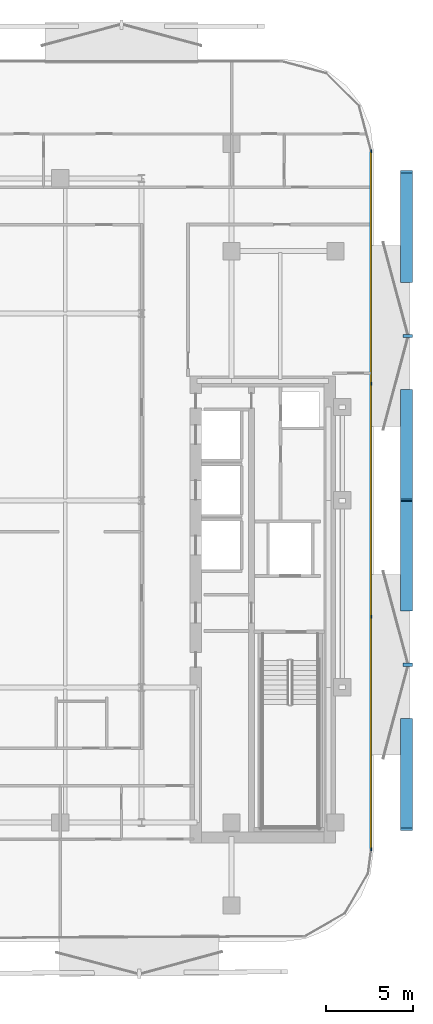
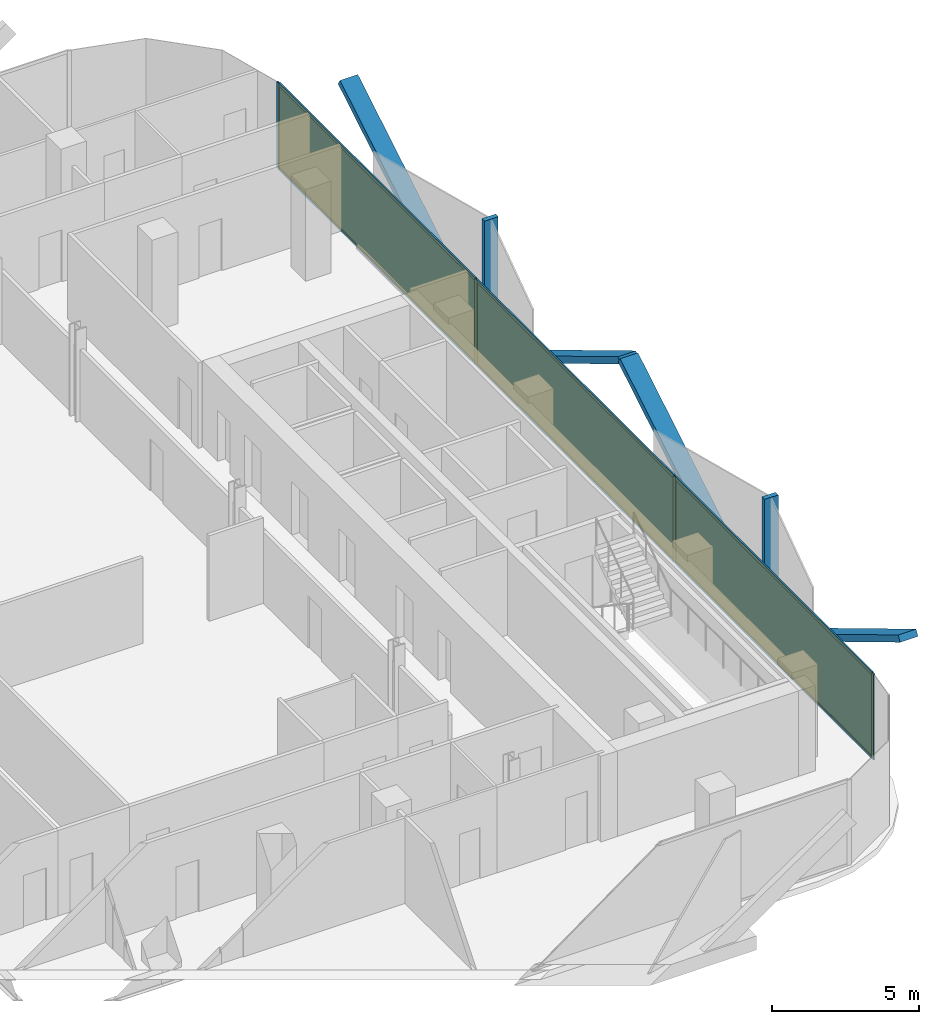
# One storey, part 11 of 17: 16 members, 3 plates, 1 curtain wall.
"""IFC4 building model written with IfcOpenShell, lengths in metres."""

from ifc_helpers import new_model, si_unit, direction, frame, frame_2d, origin, origin_2d, place, context, subcontext, project, spatial, rectangle, extrude, material, layer, layer_set, material_profile, profile_set, type_object, element, aggregate, save


model = new_model("IFC4")

# Units and contexts
model_context = context("Model", 3, precision=1e-05, world=origin(), true_north=direction((0.0, 1.0)))
body_context = subcontext(model_context, "Body", "Model", "MODEL_VIEW")
ifc_project = project(units=[si_unit("LENGTHUNIT", "METRE"), si_unit("AREAUNIT", "SQUARE_METRE"), si_unit("VOLUMEUNIT", "CUBIC_METRE"), si_unit("PLANEANGLEUNIT", "RADIAN"), si_unit("MASSUNIT", "GRAM", prefix="KILO")], contexts=[model_context])

# Member
ifc_material_1 = material(Name="Anodised Bronze Aluminium 6063-T6", Category="aluminium")
ifc_material_profile_1 = material_profile(ifc_material_1, rectangle(XDim=0.260009765625, YDim=0.699951171875, at=origin_2d()))
ifc_profile_set_1 = profile_set([ifc_material_profile_1], Name="Anodised Bronze Aluminium 6063-T6")
member_type_1 = type_object("IfcMemberType", Name="Bronze Diamond Solar-Screen Lattice Rib BDL-700", PredefinedType="MULLION", material=ifc_profile_set_1)
site_placement = place(None, origin())
building_placement = place(site_placement, origin())
storey_placement = place(building_placement, frame((0.0, 0.0, 203.0)))
member_1_placement = place(storey_placement, frame((24.5, 6.330322265625, -0.1298828125), z_axis=(0.0, -0.857396627106, 0.51465621907), x_axis=(0.0, -0.51465621907, -0.857396627106)))
member_1 = element("IfcMember", 1, at=member_1_placement, type_object=member_type_1, Name="L47 Bronze Diamond Solar Screen Lattice Rib 319A", PredefinedType="MULLION", context=body_context, shape_type="SweptSolid", body=[
    extrude(rectangle(XDim=0.260009765625, YDim=0.699951171875, at=origin_2d()), origin(), (0.0, 0.0, 1.0), 7.38330078125),
])

member_2_placement = place(storey_placement, frame((24.5, 12.660400390625, -0.1298828125), z_axis=(0.0, 0.857396627106, 0.51465621907), x_axis=(0.0, 0.51465621907, -0.857396627106)))
member_2 = element("IfcMember", 2, at=member_2_placement, type_object=member_type_1, Name="L47 Bronze Diamond Solar Screen Lattice Rib 319B", PredefinedType="MULLION", context=body_context, shape_type="SweptSolid", body=[
    extrude(rectangle(XDim=0.260009765625, YDim=0.699951171875, at=origin_2d()), origin(), (0.0, 0.0, 1.0), 7.38330078125),
])

member_3_placement = place(storey_placement, frame((24.5, -12.660400390625, -0.1298828125), z_axis=(0.0, -0.857396627106, 0.51465621907), x_axis=(0.0, -0.51465621907, -0.857396627106)))
member_3 = element("IfcMember", 3, at=member_3_placement, type_object=member_type_1, Name="L47 Bronze Diamond Solar Screen Lattice Rib 320A", PredefinedType="MULLION", context=body_context, shape_type="SweptSolid", body=[
    extrude(rectangle(XDim=0.260009765625, YDim=0.699951171875, at=origin_2d()), origin(), (0.0, 0.0, 1.0), 7.38330078125),
])

member_4_placement = place(storey_placement, frame((24.5, -6.330322265625, -0.1298828125), z_axis=(0.0, 0.857396627106, 0.51465621907), x_axis=(0.0, 0.51465621907, -0.857396627106)))
member_4 = element("IfcMember", 4, at=member_4_placement, type_object=member_type_1, Name="L47 Bronze Diamond Solar Screen Lattice Rib 320B", PredefinedType="MULLION", context=body_context, shape_type="SweptSolid", body=[
    extrude(rectangle(XDim=0.260009765625, YDim=0.699951171875, at=origin_2d()), origin(), (0.0, 0.0, 1.0), 7.38330078125),
])

ifc_material_2 = material(Name="Anodised Bronze Aluminium 6063-T6", Category="aluminium")
ifc_material_profile_2 = material_profile(ifc_material_2, rectangle(XDim=0.179931640625, YDim=0.5400390625, at=origin_2d()))
ifc_profile_set_2 = profile_set([ifc_material_profile_2], Name="Anodised Bronze Aluminium 6063-T6")
member_type_2 = type_object("IfcMemberType", Name="Bronze Solar-Screen Vertical Fold Fin BSF-540", PredefinedType="MULLION", material=ifc_profile_set_2)
member_5_placement = place(storey_placement, frame((24.580078125, 9.495361328125, -0.1298828125), z_axis=(0.0, 0.0, 1.0), x_axis=(0.0, -1.0, 0.0)))
member_5 = element("IfcMember", 5, at=member_5_placement, type_object=member_type_2, Name="L47 Bronze Solar Screen Vertical Fin 319", PredefinedType="MULLION", context=body_context, shape_type="SweptSolid", body=[
    extrude(rectangle(XDim=0.179931640625, YDim=0.5400390625, at=origin_2d()), origin(), (0.0, 0.0, 1.0), 3.7998046875),
])

member_6_placement = place(storey_placement, frame((24.580078125, -9.495361328125, -0.1298828125), z_axis=(0.0, 0.0, 1.0), x_axis=(0.0, -1.0, 0.0)))
member_6 = element("IfcMember", 6, at=member_6_placement, type_object=member_type_2, Name="L47 Bronze Solar Screen Vertical Fin 320", PredefinedType="MULLION", context=body_context, shape_type="SweptSolid", body=[
    extrude(rectangle(XDim=0.179931640625, YDim=0.5400390625, at=origin_2d()), origin(), (0.0, 0.0, 1.0), 3.7998046875),
])

ifc_material_3 = material(Name="Anodised Bronze Aluminium 6063-T6", Category="aluminium")
ifc_material_profile_3 = material_profile(ifc_material_3, rectangle(XDim=0.06005859375, YDim=0.1650390625, at=origin_2d()))
ifc_profile_set_3 = profile_set([ifc_material_profile_3], Name="Anodised Bronze Aluminium 6063-T6")
member_type_3 = type_object("IfcMemberType", Name="CW-Z3 Mullion 60x165", PredefinedType="MULLION", material=ifc_profile_set_3)
member_7_placement = place(storey_placement, frame((22.4599609375, 20.160888671875, 0.0), z_axis=(0.0, 0.0, 1.0), x_axis=(1.0, 0.0, 0.0)))
member_7 = element("IfcMember", 7, at=member_7_placement, type_object=member_type_3, Name="CW-Z3 mullion 1", PredefinedType="MULLION", context=body_context, shape_type="SweptSolid", body=[
    extrude(rectangle(XDim=0.06005859375, YDim=0.1650390625, at=origin_2d()), origin(), (0.0, 0.0, 1.0), 3.5400390625),
])

member_8_placement = place(storey_placement, frame((22.4599609375, 6.730224609375, 0.0), z_axis=(0.0, 0.0, 1.0), x_axis=(1.0, 0.0, 0.0)))
member_8 = element("IfcMember", 8, at=member_8_placement, type_object=member_type_3, Name="CW-Z3 mullion 2", PredefinedType="MULLION", context=body_context, shape_type="SweptSolid", body=[
    extrude(rectangle(XDim=0.06005859375, YDim=0.1650390625, at=origin_2d()), origin(), (0.0, 0.0, 1.0), 3.5400390625),
])

member_9_placement = place(storey_placement, frame((22.4599609375, -6.730224609375, 0.0), z_axis=(0.0, 0.0, 1.0), x_axis=(1.0, 0.0, 0.0)))
member_9 = element("IfcMember", 9, at=member_9_placement, type_object=member_type_3, Name="CW-Z3 mullion 3", PredefinedType="MULLION", context=body_context, shape_type="SweptSolid", body=[
    extrude(rectangle(XDim=0.06005859375, YDim=0.1650390625, at=origin_2d()), origin(), (0.0, 0.0, 1.0), 3.5400390625),
])

member_10_placement = place(storey_placement, frame((22.4599609375, -20.160888671875, 0.0), z_axis=(0.0, 0.0, 1.0), x_axis=(1.0, 0.0, 0.0)))
member_10 = element("IfcMember", 10, at=member_10_placement, type_object=member_type_3, Name="CW-Z3 mullion 4", PredefinedType="MULLION", context=body_context, shape_type="SweptSolid", body=[
    extrude(rectangle(XDim=0.06005859375, YDim=0.1650390625, at=origin_2d()), origin(), (0.0, 0.0, 1.0), 3.5400390625),
])

ifc_material_4 = material(Name="Anodised Bronze Aluminium 6063-T6", Category="aluminium")
ifc_material_profile_4 = material_profile(ifc_material_4, rectangle(XDim=0.06005859375, YDim=0.1298828125, at=origin_2d()))
ifc_profile_set_4 = profile_set([ifc_material_profile_4], Name="Anodised Bronze Aluminium 6063-T6")
member_type_4 = type_object("IfcMemberType", Name="CW-Z3 Transom 60x130", PredefinedType="USERDEFINED", material=ifc_profile_set_4)
member_11_placement = place(storey_placement, frame((22.4599609375, 20.130859375, 0.030029296875), z_axis=(0.0, -1.0, 0.0), x_axis=(1.0, 0.0, 0.0)))
member_11 = element("IfcMember", 11, at=member_11_placement, type_object=member_type_4, Name="CW-Z3 transom 1.1", ObjectType="TRANSOM", PredefinedType="USERDEFINED", context=body_context, shape_type="SweptSolid", body=[
    extrude(rectangle(XDim=0.06005859375, YDim=0.1298828125, at=origin_2d()), origin(), (0.0, 0.0, 1.0), 13.37060546875),
])

member_12_placement = place(storey_placement, frame((22.4599609375, 20.130859375, 3.510009765625), z_axis=(0.0, -1.0, 0.0), x_axis=(1.0, 0.0, 0.0)))
member_12 = element("IfcMember", 12, at=member_12_placement, type_object=member_type_4, Name="CW-Z3 transom 1.2", ObjectType="TRANSOM", PredefinedType="USERDEFINED", context=body_context, shape_type="SweptSolid", body=[
    extrude(rectangle(XDim=0.06005859375, YDim=0.1298828125, at=origin_2d()), origin(), (0.0, 0.0, 1.0), 13.37060546875),
])

member_13_placement = place(storey_placement, frame((22.4599609375, 6.7001953125, 0.030029296875), z_axis=(0.0, -1.0, 0.0), x_axis=(1.0, 0.0, 0.0)))
member_13 = element("IfcMember", 13, at=member_13_placement, type_object=member_type_4, Name="CW-Z3 transom 2.1", ObjectType="TRANSOM", PredefinedType="USERDEFINED", context=body_context, shape_type="SweptSolid", body=[
    extrude(rectangle(XDim=0.06005859375, YDim=0.1298828125, at=origin_2d()), origin(), (0.0, 0.0, 1.0), 13.400390625),
])

member_14_placement = place(storey_placement, frame((22.4599609375, 6.7001953125, 3.510009765625), z_axis=(0.0, -1.0, 0.0), x_axis=(1.0, 0.0, 0.0)))
member_14 = element("IfcMember", 14, at=member_14_placement, type_object=member_type_4, Name="CW-Z3 transom 2.2", ObjectType="TRANSOM", PredefinedType="USERDEFINED", context=body_context, shape_type="SweptSolid", body=[
    extrude(rectangle(XDim=0.06005859375, YDim=0.1298828125, at=origin_2d()), origin(), (0.0, 0.0, 1.0), 13.400390625),
])

member_15_placement = place(storey_placement, frame((22.4599609375, -6.76025390625, 0.030029296875), z_axis=(0.0, -1.0, 0.0), x_axis=(1.0, 0.0, 0.0)))
member_15 = element("IfcMember", 15, at=member_15_placement, type_object=member_type_4, Name="CW-Z3 transom 3.1", ObjectType="TRANSOM", PredefinedType="USERDEFINED", context=body_context, shape_type="SweptSolid", body=[
    extrude(rectangle(XDim=0.06005859375, YDim=0.1298828125, at=origin_2d()), origin(), (0.0, 0.0, 1.0), 13.37060546875),
])

member_16_placement = place(storey_placement, frame((22.4599609375, -6.76025390625, 3.510009765625), z_axis=(0.0, -1.0, 0.0), x_axis=(1.0, 0.0, 0.0)))
member_16 = element("IfcMember", 16, at=member_16_placement, type_object=member_type_4, Name="CW-Z3 transom 3.2", ObjectType="TRANSOM", PredefinedType="USERDEFINED", context=body_context, shape_type="SweptSolid", body=[
    extrude(rectangle(XDim=0.06005859375, YDim=0.1298828125, at=origin_2d()), origin(), (0.0, 0.0, 1.0), 13.37060546875),
])

# Plate
ifc_material_5 = material(Name="Low-E Solar Control Laminated Glass", Category="glass")
ifc_layer_1 = layer(ifc_material_5, 0.030029296875, Name="Low-E Solar Control Laminated Glass")
ifc_layer_set_1 = layer_set([ifc_layer_1], Name="Low-E Solar Control Laminated Glass")
plate_type = type_object("IfcPlateType", Name="CW-Z3 Low-E Double Glazed Panel 30mm", PredefinedType="CURTAIN_PANEL", material=ifc_layer_set_1)
plate_1_placement = place(storey_placement, frame((22.4599609375, 13.445556640625, 0.06005859375), z_axis=(0.0, 0.0, 1.0), x_axis=(0.0, -1.0, 0.0)))
plate_1 = element("IfcPlate", 17, at=plate_1_placement, type_object=plate_type, Name="CW-Z3 panel 1.1", PredefinedType="CURTAIN_PANEL", context=body_context, shape_type="SweptSolid", body=[
    extrude(rectangle(XDim=13.37060546875, YDim=0.030029296875, at=origin_2d()), origin(), (0.0, 0.0, 1.0), 3.419921875),
])

plate_2_placement = place(storey_placement, frame((22.4599609375, 0.0, 0.06005859375), z_axis=(0.0, 0.0, 1.0), x_axis=(0.0, -1.0, 0.0)))
plate_2 = element("IfcPlate", 18, at=plate_2_placement, type_object=plate_type, Name="CW-Z3 panel 2.1", PredefinedType="CURTAIN_PANEL", context=body_context, shape_type="SweptSolid", body=[
    extrude(rectangle(XDim=13.400634765625, YDim=0.030029296875, at=origin_2d()), origin(), (0.0, 0.0, 1.0), 3.419921875),
])

plate_3_placement = place(storey_placement, frame((22.4599609375, -13.445556640625, 0.06005859375), z_axis=(0.0, 0.0, 1.0), x_axis=(0.0, -1.0, 0.0)))
plate_3 = element("IfcPlate", 19, at=plate_3_placement, type_object=plate_type, Name="CW-Z3 panel 3.1", PredefinedType="CURTAIN_PANEL", context=body_context, shape_type="SweptSolid", body=[
    extrude(rectangle(XDim=13.37060546875, YDim=0.030029296875, at=origin_2d()), origin(), (0.0, 0.0, 1.0), 3.419921875),
])

# Site, building, storey
site = spatial("IfcSite", under=ifc_project, at=site_placement, CompositionType="ELEMENT")
building = spatial("IfcBuilding", under=site, at=building_placement, Name="Khairoan Windgate Tower", CompositionType="ELEMENT")
storey = spatial("IfcBuildingStorey", under=building, at=storey_placement, Name="L47", CompositionType="ELEMENT", Elevation=203.0)

# Curtain wall
ifc_material_6 = material(Name="Anodised Bronze Aluminium 6063-T6", Category="aluminium")
ifc_layer_2 = layer(ifc_material_6, 0.1650390625, Name="Anodised Bronze Aluminium 6063-T6")
ifc_layer_set_2 = layer_set([ifc_layer_2], Name="Anodised Bronze Aluminium 6063-T6")
curtain_wall_type = type_object("IfcCurtainWallType", Name="Luxury Hotel Acoustic Curtain Wall CW-Z3", PredefinedType="NOTDEFINED", material=ifc_layer_set_2)
curtain_wall_placement = place(storey_placement, frame((22.4599609375, 20.19091796875, 0.0), z_axis=(0.0, 0.0, 1.0), x_axis=(0.0, -1.0, 0.0)))
curtain_wall = element("IfcCurtainWall", 20, at=curtain_wall_placement, inside=storey, type_object=curtain_wall_type, Name="L47 Unitised Curtain Wall 13", PredefinedType="NOTDEFINED", context=body_context, shape_type="SweptSolid", body=[
    extrude(rectangle(XDim=40.3818359375, YDim=0.010009765625, at=frame_2d((20.19091796875, 0.0))), origin(), (0.0, 0.0, 1.0), 3.5400390625),
])

aggregate(curtain_wall, [member_7, member_8, member_9, member_10, member_11, member_12, plate_1, member_13, member_14, plate_2, member_15, member_16, plate_3, member_1, member_2, member_5, member_3, member_4, member_6])

save(model, "model.ifc")
